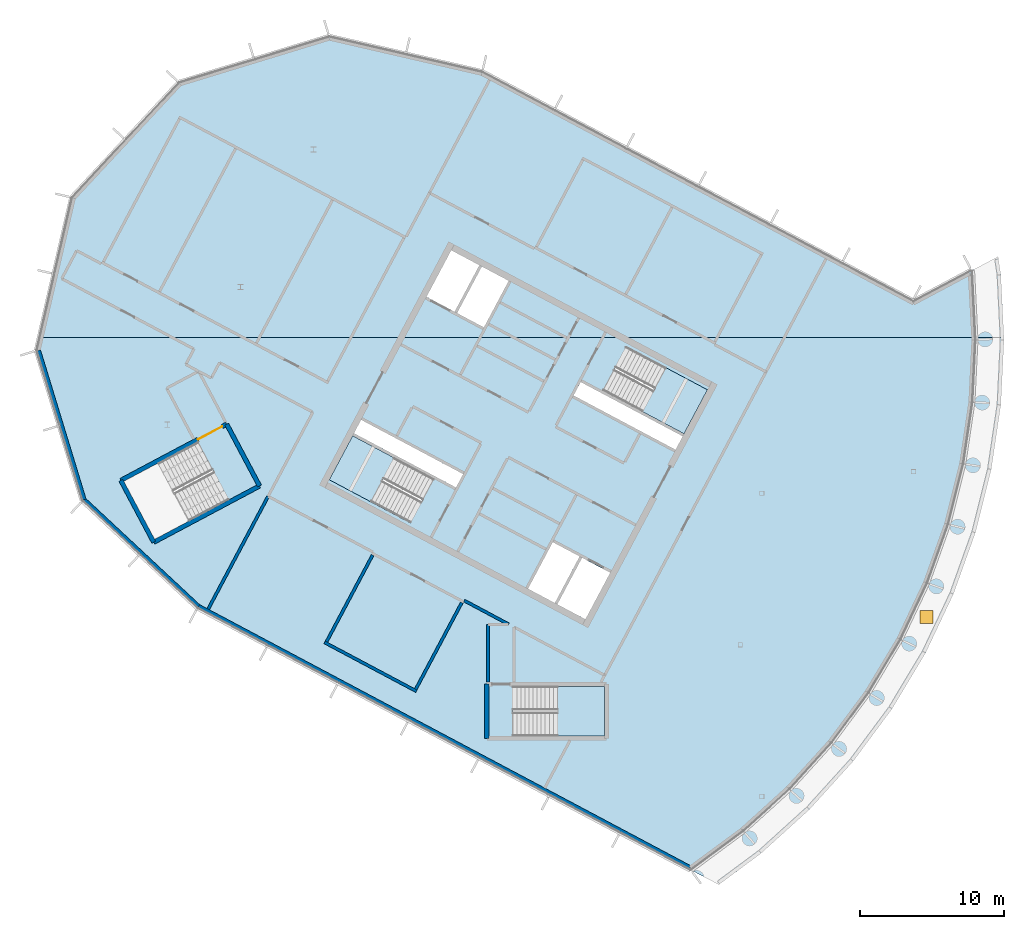
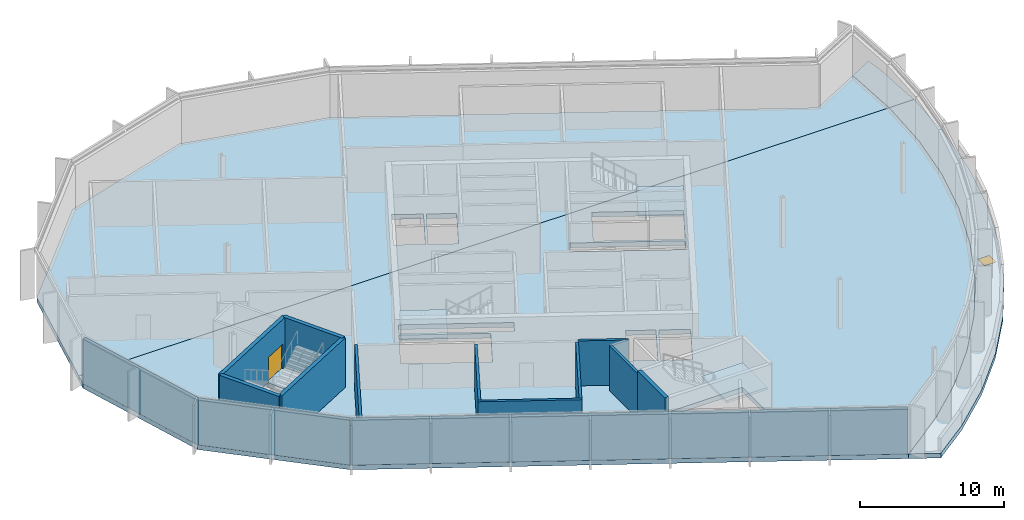
# One storey, part 5 of 15: 14 walls, 7 slabs, 2 doors, 2 openings, 3 elements without a shape of their own.
"""IFC4 building model written with IfcOpenShell, lengths in metres."""

from ifc_helpers import new_model, si_unit, direction, frame, frame_2d, origin, origin_2d, place, context, subcontext, project, spatial, polyline, rectangle, outline, extrude, material, layer, layer_set, type_object, element, fill, aggregate, save


model = new_model("IFC4")

# Units and contexts
model_context = context("Model", 3, precision=1e-05, world=origin(), true_north=direction((0.0, 1.0)))
body_context = subcontext(model_context, "Body", "Model", "MODEL_VIEW")
ifc_project = project(units=[si_unit("LENGTHUNIT", "METRE"), si_unit("AREAUNIT", "SQUARE_METRE"), si_unit("VOLUMEUNIT", "CUBIC_METRE"), si_unit("PLANEANGLEUNIT", "RADIAN"), si_unit("MASSUNIT", "GRAM", prefix="KILO")], contexts=[model_context])

# Site, building, storey
site_placement = place(None, origin())
site = spatial("IfcSite", under=ifc_project, at=site_placement, CompositionType="ELEMENT")
building_placement = place(site_placement, origin())
building = spatial("IfcBuilding", under=site, at=building_placement, Name="Cormorant Relay Tower", CompositionType="ELEMENT")
storey_placement = place(building_placement, frame((0.0, 0.0, 332.39990234375)))
storey = spatial("IfcBuildingStorey", under=building, at=storey_placement, Name="C2", CompositionType="ELEMENT", Elevation=332.39990234375)

# Slabs
ifc_material_1 = material(Name="Concrete 40 MPa", Category="concrete")
ifc_layer_1 = layer(ifc_material_1, 0.400146484375)
ifc_layer_set_1 = layer_set([ifc_layer_1], Name="Crown floor slab 400")
slab_type_1 = type_object("IfcSlabType", Name="Crown floor slab 400", PredefinedType="FLOOR", material=ifc_layer_set_1)
slab_1_placement = place(storey_placement, frame((0.0, 0.0, -0.400146484375)))
element("IfcSlab", 1, at=slab_1_placement, inside=storey, type_object=slab_type_1, Name="Crown floor C2", PredefinedType="FLOOR", context=body_context, shape_type="SweptSolid", body=[
    extrude(outline(polyline([(-15.461669921875, -15.562744140625), (-15.28759765625, -15.45849609375), (-11.8193359375, -12.88623046875), (-8.619873046875, -9.986572265625), (-5.72021484375, -6.787109375), (-3.14794921875, -3.31884765625), (-0.927978515625, 0.384765625), (0.918212890625, 4.2880859375), (2.372802734375, 8.353759765625), (3.421875, 12.542236328125), (4.055419921875, 16.8134765625), (4.267333984375, 21.126220703125), (4.2587890625, 21.300048828125), (-60.510498046875, 21.300048828125), (-60.7197265625, 20.393310546875), (-57.541748046875, 9.997802734375), (-49.591552734375, 2.584228515625), (-15.461669921875, -15.562744140625)]), holes=[polyline([(-21.39990234375, -2.875), (-27.75, -2.875), (-27.75, -6.324951171875), (-21.39990234375, -6.324951171875), (-21.39990234375, -2.875)]), polyline([(-22.95458984375, 6.03271484375), (-24.668212890625, 2.81005859375), (-22.725830078125, 1.777099609375), (-21.01220703125, 5.0), (-23.04296875, 6.07958984375), (-22.95458984375, 6.03271484375)]), polyline([(-24.985595703125, 7.112548828125), (-26.69921875, 3.889892578125), (-24.844970703125, 2.90380859375), (-23.13134765625, 6.126708984375), (-23.04296875, 6.07958984375), (-24.985595703125, 7.112548828125)]), polyline([(-54.69970703125, 11.330810546875), (-52.563720703125, 7.3134765625), (-47.442626953125, 10.036376953125), (-49.57861328125, 14.0537109375), (-54.69970703125, 11.330810546875)]), polyline([(-38.847900390625, 14.483154296875), (-40.46728515625, 11.43701171875), (-34.860595703125, 8.455810546875), (-33.240966796875, 11.502197265625), (-38.847900390625, 14.483154296875)]), polyline([(-31.690185546875, 10.904052734375), (-31.197265625, 11.8310546875), (-38.260986328125, 15.5869140625), (-38.75390625, 14.659912109375), (-31.690185546875, 10.904052734375)]), polyline([(-23.052490234375, 18.203125), (-23.54541015625, 17.276123046875), (-16.481689453125, 13.520263671875), (-15.989013671875, 14.447509765625), (-23.052490234375, 18.203125)]), polyline([(-14.275390625, 17.670166015625), (-19.882080078125, 20.6513671875), (-21.501708984375, 17.605224609375), (-15.89501953125, 14.6240234375), (-14.275390625, 17.670166015625)])]), origin(), (0.0, 0.0, 1.0), 0.400146484375),
])
slab_2_placement = place(storey_placement, frame((0.0, 0.0, -0.400146484375)))
element("IfcSlab", 2, at=slab_2_placement, inside=storey, type_object=slab_type_1, Name="Crown floor C2", PredefinedType="FLOOR", context=body_context, shape_type="SweptSolid", body=[
    extrude(outline(polyline([(-60.510498046875, 21.300048828125), (4.2587890625, 21.300048828125), (4.055419921875, 25.43896484375), (3.986572265625, 25.90380859375), (0.0, 23.783935546875), (-29.873779296875, 39.668212890625), (-40.465576171875, 42.11328125), (-50.86083984375, 38.935302734375), (-58.2744140625, 30.985107421875), (-60.510498046875, 21.300048828125)]), holes=[polyline([(-29.75732421875, 21.99462890625), (-28.043701171875, 25.217529296875), (-29.89794921875, 26.203369140625), (-31.611572265625, 22.980712890625), (-29.75732421875, 21.99462890625)]), polyline([(-33.73046875, 24.107421875), (-31.7880859375, 23.074462890625), (-30.074462890625, 26.29736328125), (-32.01708984375, 27.330078125), (-33.73046875, 24.107421875)])]), origin(), (0.0, 0.0, 1.0), 0.400146484375),
])

# Slab, opening, door
ifc_material_2 = material(Name="Concrete 40 MPa", Category="concrete")
ifc_layer_2 = layer(ifc_material_2, 0.400146484375)
ifc_layer_set_2 = layer_set([ifc_layer_2], Name="Crown terrace roof slab 400")
slab_type_2 = type_object("IfcSlabType", Name="Crown terrace roof slab 400", PredefinedType="ROOF", material=ifc_layer_set_2)
slab_3_placement = place(storey_placement, frame((0.0, 0.0, -0.400146484375)))
slab_3 = element("IfcSlab", 3, at=slab_3_placement, inside=storey, type_object=slab_type_2, Name="Roof C1", PredefinedType="ROOF", context=body_context, shape_type="SweptSolid", body=[
    extrude(outline(polyline([(-13.489013671875, -16.61181640625), (-10.550537109375, -14.432373046875), (-7.205810546875, -11.400634765625), (-4.17431640625, -8.055908203125), (-1.485107421875, -4.429931640625), (0.835693359375, -0.55810546875), (2.765869140625, 3.522705078125), (4.28662109375, 7.773193359375), (5.383544921875, 12.152099609375), (6.0458984375, 16.617431640625), (6.267333984375, 21.126220703125), (6.2587890625, 21.300048828125), (4.259765625, 21.300048828125), (4.268310546875, 21.126220703125), (4.268310546875, 21.126220703125), (4.056396484375, 16.8134765625), (4.056396484375, 16.813232421875), (3.4228515625, 12.5419921875), (3.4228515625, 12.5419921875), (2.373779296875, 8.353515625), (2.373779296875, 8.353515625), (0.9189453125, 4.287841796875), (0.9189453125, 4.28759765625), (-0.92724609375, 0.38427734375), (-0.92724609375, 0.38427734375), (-3.147216796875, -3.3193359375), (-3.147216796875, -3.319580078125), (-5.719482421875, -6.78759765625), (-5.719482421875, -6.787841796875), (-8.619140625, -9.987060546875), (-8.619384765625, -9.9873046875), (-11.818603515625, -12.886962890625), (-11.818603515625, -12.886962890625), (-15.287109375, -15.459228515625), (-15.287109375, -15.459228515625), (-15.460693359375, -15.5634765625), (-13.489013671875, -16.61181640625)])), origin(), (0.0, 0.0, 1.0), 0.400146484375),
])
opening_1_placement = place(slab_3_placement, frame((0.906982421875, 1.927001953125, 0.0)))
opening_1 = element("IfcOpeningElement", 4, at=opening_1_placement, cuts=slab_3, Name="Opening CRD3-001", PredefinedType="OPENING", context=body_context, shape_type="SweptSolid", body=[
    extrude(rectangle(XDim=0.89990234375, YDim=0.89990234375, at=origin_2d()), origin(), (0.0, 0.0, 1.0), 0.400146484375),
])
ifc_material_3 = material(Name="Aluminium hatch", Category="aluminium")
door_type_1 = type_object("IfcDoorType", Name="Roof hatch 900 x 900", OperationType="SINGLE_SWING_LEFT", PredefinedType="TRAPDOOR", material=ifc_material_3)
door_1_placement = place(opening_1_placement, frame((0.0, 0.0, 0.35009765625)))
door_1 = element("IfcDoor", 5, at=door_1_placement, inside=storey, type_object=door_type_1, Name="Maintenance roof hatch", OperationType="SINGLE_SWING_LEFT", OverallHeight=0.89990234375, OverallWidth=0.89990234375, PredefinedType="TRAPDOOR", context=body_context, shape_type="SweptSolid", body=[
    extrude(rectangle(XDim=0.89990234375, YDim=0.89990234375, at=origin_2d()), origin(), (0.0, 0.0, 1.0), 0.050048828125),
])
fill(opening_1, door_1)

# Slab
slab_4_placement = place(storey_placement, frame((0.0, 0.0, -0.400146484375)))
element("IfcSlab", 6, at=slab_4_placement, inside=storey, type_object=slab_type_2, Name="Roof C1", PredefinedType="ROOF", context=body_context, shape_type="SweptSolid", body=[
    extrude(outline(polyline([(4.259765625, 21.300048828125), (6.2587890625, 21.300048828125), (6.0458984375, 25.635009765625), (5.8583984375, 26.89892578125), (3.9873046875, 25.904052734375), (3.987548828125, 25.904052734375), (3.987548828125, 25.904052734375), (3.987548828125, 25.90380859375), (3.987548828125, 25.90380859375), (4.056396484375, 25.439208984375), (4.056396484375, 25.43896484375), (4.259765625, 21.300048828125)])), origin(), (0.0, 0.0, 1.0), 0.400146484375),
])

# Stair, slab
ifc_material_4 = material(Name="Concrete 40 MPa", Category="concrete")
stair_type = type_object("IfcStairType", Name="Exit stair 1500", PredefinedType="HALF_TURN_STAIR", material=ifc_material_4)
stair_1_placement = place(storey_placement, origin())
stair_1 = element("IfcStair", 7, at=stair_1_placement, inside=storey, type_object=stair_type, Name="C2 Stair", PredefinedType="HALF_TURN_STAIR")
ifc_material_5 = material(Name="Concrete 40 MPa", Category="concrete")
ifc_layer_3 = layer(ifc_material_5, 0.199951171875)
ifc_layer_set_3 = layer_set([ifc_layer_3], Name="Exit stair landing 200")
slab_type_3 = type_object("IfcSlabType", Name="Exit stair landing 200", PredefinedType="LANDING", material=ifc_layer_set_3)
slab_5_placement = place(storey_placement, frame((0.0, 0.0, 1.900146484375)))
slab_5 = element("IfcSlab", 8, at=slab_5_placement, type_object=slab_type_3, Name="A1 landing 1", PredefinedType="LANDING", context=body_context, shape_type="SweptSolid", body=[
    extrude(outline(polyline([(-18.7822265625, 16.1591796875), (-15.89501953125, 14.6240234375), (-14.275390625, 17.670166015625), (-17.16259765625, 19.205322265625), (-18.7822265625, 16.1591796875)])), origin(), (0.0, 0.0, 1.0), 0.199951171875),
])
aggregate(stair_1, [slab_5])

stair_2_placement = place(storey_placement, origin())
stair_2 = element("IfcStair", 9, at=stair_2_placement, inside=storey, type_object=stair_type, Name="C2 Stair", PredefinedType="HALF_TURN_STAIR")
slab_6_placement = place(storey_placement, frame((0.0, 0.0, 1.900146484375)))
slab_6 = element("IfcSlab", 10, at=slab_6_placement, type_object=slab_type_3, Name="A2 landing 1", PredefinedType="LANDING", context=body_context, shape_type="SweptSolid", body=[
    extrude(outline(polyline([(-35.96044921875, 12.947998046875), (-38.84765625, 14.483154296875), (-40.467529296875, 11.43701171875), (-37.580322265625, 9.90185546875), (-35.96044921875, 12.947998046875)])), origin(), (0.0, 0.0, 1.0), 0.199951171875),
])
aggregate(stair_2, [slab_6])

stair_3_placement = place(storey_placement, origin())
stair_3 = element("IfcStair", 11, at=stair_3_placement, inside=storey, type_object=stair_type, Name="C2 Stair", PredefinedType="HALF_TURN_STAIR")
slab_7_placement = place(storey_placement, frame((0.0, 0.0, 1.900146484375)))
slab_7 = element("IfcSlab", 12, at=slab_7_placement, type_object=slab_type_3, Name="RC1 landing 1", PredefinedType="LANDING", context=body_context, shape_type="SweptSolid", body=[
    extrude(outline(polyline([(-24.669921875, -6.324951171875), (-21.39990234375, -6.324951171875), (-21.39990234375, -2.875), (-24.669921875, -2.875), (-24.669921875, -6.324951171875)])), origin(), (0.0, 0.0, 1.0), 0.199951171875),
])
aggregate(stair_3, [slab_7])

# Walls
ifc_material_6 = material(Name="Concrete 30 MPa block wall", Category="concrete")
ifc_layer_4 = layer(ifc_material_6, 0.199951171875)
ifc_layer_set_4 = layer_set([ifc_layer_4], Name="Crown plant room wall 200")
wall_type_1 = type_object("IfcWallType", Name="Crown plant room wall 200", PredefinedType="PARTITIONING", material=ifc_layer_set_4)
wall_1_placement = place(storey_placement, frame((-34.43701171875, -3.208251953125, 0.0), z_axis=(0.0, 0.0, 1.0), x_axis=(-0.882957622595, 0.46945269911, 0.0)))
element("IfcWall", 13, at=wall_1_placement, inside=storey, type_object=wall_type_1, Name="Plant room wall", PredefinedType="PARTITIONING", context=body_context, shape_type="SweptSolid", body=[
    extrude(rectangle(XDim=7.2001953125, YDim=0.199951171875, at=frame_2d((3.60009765625, 0.0))), origin(), (0.0, 0.0, 1.0), 3.7998046875),
])
for number, where, z_axis, x_axis, name in (
    (14, (-31.2861328125, 2.930908203125, 0.0), (0.0, 0.0, 1.0), (-0.469477207229, -0.882944591632, 0.0), "Plant room wall"),
    (15, (-37.466796875, 6.21728515625, 0.0), (0.0, 0.0, 1.0), (-0.469477207229, -0.882944591632, 0.0), "Plant room wall"),
):
    element("IfcWall", number, at=place(storey_placement, frame(where, z_axis=z_axis, x_axis=x_axis)), inside=storey, type_object=wall_type_1, Name=name, PredefinedType="PARTITIONING", context=body_context, shape_type="SweptSolid", body=[
        extrude(rectangle(XDim=6.7998046875, YDim=0.199951171875, at=frame_2d((3.39990234375, 0.0))), origin(), (0.0, 0.0, 1.0), 3.7998046875),
    ])
wall_2_placement = place(storey_placement, frame((-29.474853515625, -2.574951171875, 0.0), z_axis=(0.0, 0.0, 1.0), x_axis=(-6.1038882e-05, 0.999999998137, 0.0)))
element("IfcWall", 16, at=wall_2_placement, inside=storey, type_object=wall_type_1, Name="Plant room wall", PredefinedType="PARTITIONING", context=body_context, shape_type="SweptSolid", body=[
    extrude(rectangle(XDim=3.999755859375, YDim=0.199951171875, at=frame_2d((2.0, 0.0))), origin(), (0.0, 0.0, 1.0), 3.7998046875),
])
wall_3_placement = place(storey_placement, frame((-28.043701171875, 1.425048828125, 0.0), z_axis=(0.0, 0.0, 1.0), x_axis=(-0.881938187053, 0.471365075305, 0.0)))
element("IfcWall", 17, at=wall_3_placement, inside=storey, type_object=wall_type_1, Name="Plant room wall", PredefinedType="PARTITIONING", context=body_context, shape_type="SweptSolid", body=[
    extrude(rectangle(XDim=3.489990234375, YDim=0.199951171875, at=frame_2d((1.7451171875, 0.0))), origin(), (0.0, 0.0, 1.0), 3.7998046875),
])
wall_4_placement = place(storey_placement, frame((-44.69287109375, 10.30859375, 0.0), z_axis=(0.0, 0.0, 1.0), x_axis=(-0.469467804358, -0.88294959124, 0.0)))
element("IfcWall", 18, at=wall_4_placement, inside=storey, type_object=wall_type_1, Name="Plant room wall", PredefinedType="PARTITIONING", context=body_context, shape_type="SweptSolid", body=[
    extrude(rectangle(XDim=8.86962890625, YDim=0.199951171875, at=frame_2d((4.434814453125, 0.0))), origin(), (0.0, 0.0, 1.0), 3.7998046875),
])
ifc_material_7 = material(Name="Bronze cladding on Concrete 30 MPa block wall", Category="concrete")
ifc_layer_5 = layer(ifc_material_7, 0.25)
ifc_layer_set_5 = layer_set([ifc_layer_5], Name="Crown wall 250")
wall_type_2 = type_object("IfcWallType", Name="Crown wall 250", PredefinedType="STANDARD", material=ifc_layer_set_5)
wall_5_placement = place(storey_placement, frame((-57.431884765625, 10.06640625, 0.0), z_axis=(0.0, 0.0, 1.0), x_axis=(-0.292379862982, 0.956302261695, 0.0)))
element("IfcWall", 19, at=wall_5_placement, inside=storey, type_object=wall_type_2, Name="Crown wall C2", PredefinedType="STANDARD", context=body_context, shape_type="SweptSolid", body=[
    extrude(rectangle(XDim=10.803466796875, YDim=0.25, at=frame_2d((5.40185546875, 0.0))), origin(), (0.0, 0.0, 1.0), 3.7998046875),
])
wall_6_placement = place(storey_placement, frame((-15.46533203125, -15.419189453125, 0.0), z_axis=(0.0, 0.0, 1.0), x_axis=(-0.882948545994, 0.469469770195, 0.0)))
element("IfcWall", 20, at=wall_6_placement, inside=storey, type_object=wall_type_2, Name="Crown wall C2", PredefinedType="STANDARD", context=body_context, shape_type="SweptSolid", body=[
    extrude(rectangle(XDim=38.5673828125, YDim=0.25, at=frame_2d((19.28369140625, 0.0))), origin(), (0.0, 0.0, 1.0), 3.7998046875),
])
wall_7_placement = place(storey_placement, frame((-49.518310546875, 2.68701171875, 0.0), z_axis=(0.0, 0.0, 1.0), x_axis=(-0.731359823822, 0.681991794745, 0.0)))
element("IfcWall", 21, at=wall_7_placement, inside=storey, type_object=wall_type_2, Name="Crown wall C2", PredefinedType="STANDARD", context=body_context, shape_type="SweptSolid", body=[
    extrude(rectangle(XDim=10.8203125, YDim=0.25, at=frame_2d((5.41015625, 0.0))), origin(), (0.0, 0.0, 1.0), 3.7998046875),
])
ifc_material_8 = material(Name="Concrete 50 MPa", Category="concrete")
ifc_layer_6 = layer(ifc_material_8, 0.300048828125)
ifc_layer_set_6 = layer_set([ifc_layer_6], Name="Remote stair wall 300")
wall_type_3 = type_object("IfcWallType", Name="Remote stair wall 300", PredefinedType="SHEAR", material=ifc_layer_set_6)
wall_8_placement = place(storey_placement, frame((-47.57421875, 15.28955078125, 0.0), z_axis=(0.0, 0.0, 1.0), x_axis=(0.469443498566, -0.882962514297, 0.0)))
element("IfcWall", 22, at=wall_8_placement, inside=storey, type_object=wall_type_3, Name="C2 exit stair RP1 wall", PredefinedType="SHEAR", context=body_context, shape_type="SweptSolid", body=[
    extrude(rectangle(XDim=4.85009765625, YDim=0.300048828125, at=frame_2d((2.425048828125, 0.0))), origin(), (0.0, 0.0, 1.0), 4.2001953125),
])
wall_9_placement = place(storey_placement, frame((-45.29736328125, 11.007080078125, 0.0), z_axis=(0.0, 0.0, 1.0), x_axis=(-0.882951519127, -0.469464178475, 0.0)))
element("IfcWall", 23, at=wall_9_placement, inside=storey, type_object=wall_type_3, Name="C2 exit stair RP1 wall", PredefinedType="SHEAR", context=body_context, shape_type="SweptSolid", body=[
    extrude(rectangle(XDim=8.2998046875, YDim=0.300048828125, at=frame_2d((4.14990234375, 0.0))), origin(), (0.0, 0.0, 1.0), 4.2001953125),
])
wall_10_placement = place(storey_placement, frame((-52.625732421875, 7.110595703125, 0.0), z_axis=(0.0, 0.0, 1.0), x_axis=(-0.469464364128, 0.882951420416, 0.0)))
element("IfcWall", 24, at=wall_10_placement, inside=storey, type_object=wall_type_3, Name="C2 exit stair RP1 wall", PredefinedType="SHEAR", context=body_context, shape_type="SweptSolid", body=[
    extrude(rectangle(XDim=4.849853515625, YDim=0.300048828125, at=frame_2d((2.4248046875, 0.0))), origin(), (0.0, 0.0, 1.0), 4.2001953125),
])

# Wall, opening, door
wall_11_placement = place(storey_placement, frame((-54.902587890625, 11.392822265625, 0.0), z_axis=(0.0, 0.0, 1.0), x_axis=(0.882939326045, 0.469487110071, 0.0)))
wall_11 = element("IfcWall", 25, at=wall_11_placement, inside=storey, type_object=wall_type_3, Name="C2 exit stair RP1 wall", PredefinedType="SHEAR", context=body_context, shape_type="SweptSolid", body=[
    extrude(rectangle(XDim=8.300048828125, YDim=0.300048828125, at=frame_2d((4.14990234375, 0.0))), origin(), (0.0, 0.0, 1.0), 4.2001953125),
])
opening_2_placement = place(wall_11_placement, frame((6.050048828125, 0.0, 0.0)))
opening_2 = element("IfcOpeningElement", 26, at=opening_2_placement, cuts=wall_11, Name="Opening CDE-018", PredefinedType="OPENING", context=body_context, shape_type="SweptSolid", body=[
    extrude(rectangle(XDim=1.89990234375, YDim=2.10009765625, at=frame_2d((0.949951171875, 1.050048828125))), frame((0.0, 0.159912109375, 0.0), z_axis=(0.0, -1.0, 0.0), x_axis=(1.0, 0.0, 0.0)), (0.0, 0.0, 1.0), 0.320068359375),
])
ifc_material_9 = material(Name="Steel fire door", Category="steel")
door_type_2 = type_object("IfcDoorType", Name="Remote stair door 1900x2100", OperationType="DOUBLE_DOOR_SINGLE_SWING", PredefinedType="DOOR", material=ifc_material_9)
door_2_placement = place(opening_2_placement, origin())
door_2 = element("IfcDoor", 27, at=door_2_placement, inside=storey, type_object=door_type_2, Name="Exit stair RP1 door", OperationType="DOUBLE_DOOR_SINGLE_SWING", OverallHeight=2.10009765625, OverallWidth=1.89990234375, PredefinedType="DOOR", context=body_context, shape_type="SweptSolid", body=[
    extrude(rectangle(XDim=1.89990234375, YDim=2.10009765625, at=frame_2d((0.949951171875, 1.050048828125))), frame((0.0, 0.02490234375, 0.0), z_axis=(0.0, -1.0, 0.0), x_axis=(1.0, 0.0, 0.0)), (0.0, 0.0, 1.0), 0.050048828125),
])
fill(opening_2, door_2)

# Wall
wall_12_placement = place(storey_placement, frame((-29.550048828125, -6.47509765625, 0.0), z_axis=(0.0, 0.0, 1.0), x_axis=(0.0, 1.0, 0.0)))
element("IfcWall", 28, at=wall_12_placement, inside=storey, type_object=wall_type_3, Name="C2 exit stair RC1 wall", PredefinedType="SHEAR", context=body_context, shape_type="SweptSolid", body=[
    extrude(rectangle(XDim=3.75, YDim=0.300048828125, at=frame_2d((1.875, 0.0))), origin(), (0.0, 0.0, 1.0), 4.2001953125),
])

save(model, "model.ifc")
